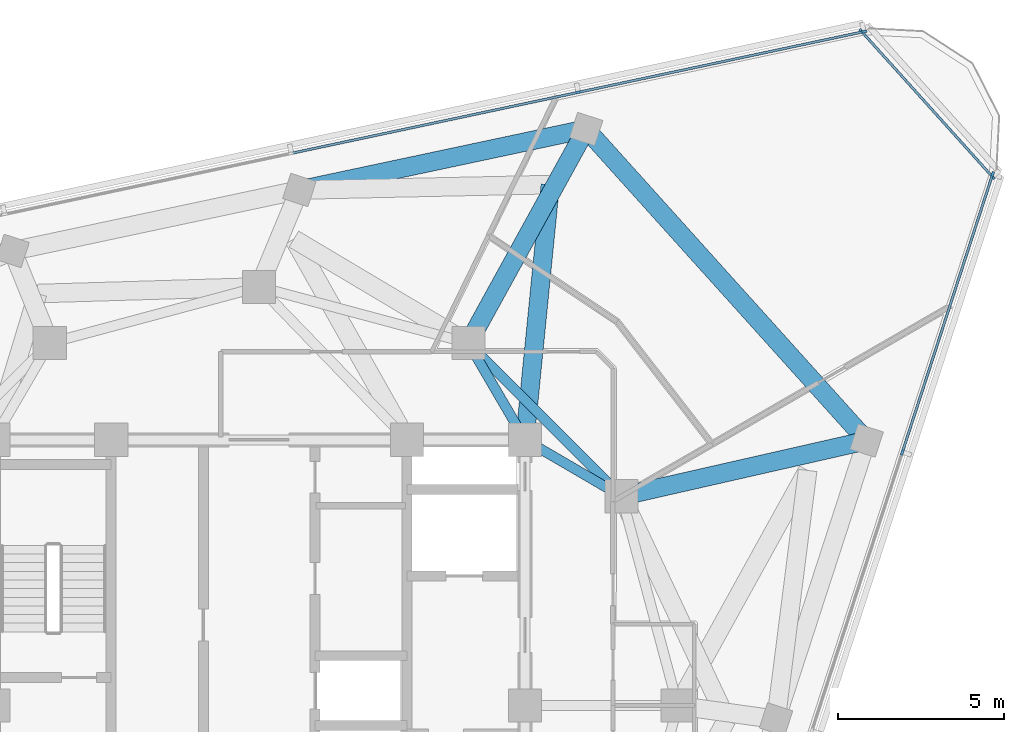
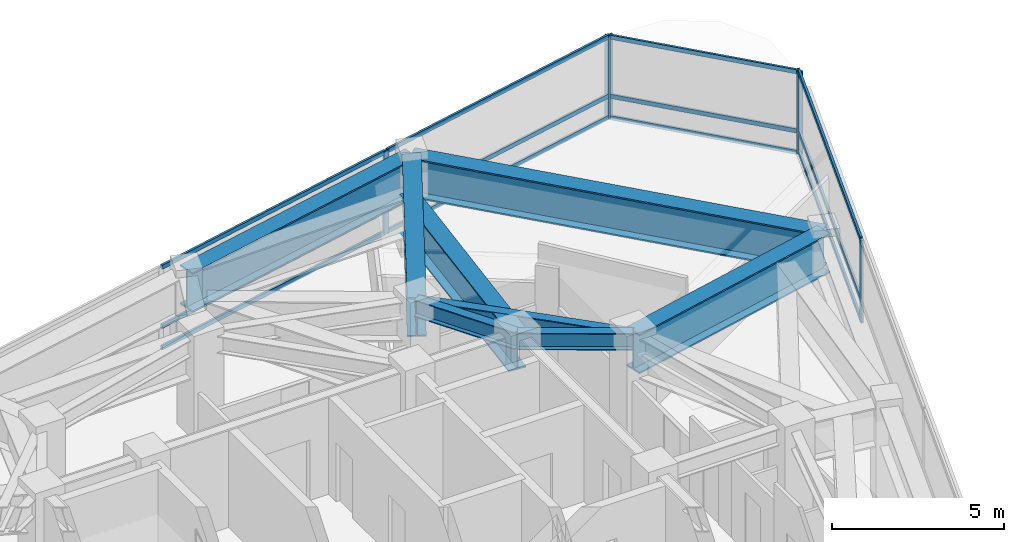
# One storey, part 6 of 15: 18 members, 8 beams, 3 elements without a shape of their own.
"""IFC4 building model written with IfcOpenShell, lengths in metres."""

from ifc_helpers import new_model, si_unit, direction, frame, origin, origin_2d, place, context, subcontext, project, spatial, rectangle, i_section, extrude, material, layer, layer_set, material_profile, profile_set, type_object, element, aggregate, save


model = new_model("IFC4")

# Units and contexts
model_context = context("Model", 3, precision=1e-05, world=origin(), true_north=direction((0.0, 1.0)))
body_context = subcontext(model_context, "Body", "Model", "MODEL_VIEW")
ifc_project = project(units=[si_unit("LENGTHUNIT", "METRE"), si_unit("AREAUNIT", "SQUARE_METRE"), si_unit("VOLUMEUNIT", "CUBIC_METRE"), si_unit("PLANEANGLEUNIT", "RADIAN"), si_unit("MASSUNIT", "GRAM", prefix="KILO")], contexts=[model_context])

# Site, building, storey
site_placement = place(None, origin())
site = spatial("IfcSite", under=ifc_project, at=site_placement, CompositionType="ELEMENT")
building_placement = place(site_placement, origin())
building = spatial("IfcBuilding", under=site, at=building_placement, Name="Terralouvre Media Tower", CompositionType="ELEMENT")
storey_placement = place(building_placement, frame((0.0, 0.0, 309.10009765625)))
storey = spatial("IfcBuildingStorey", under=building, at=storey_placement, Name="L80", CompositionType="ELEMENT", Elevation=309.10009765625)

# Curtain wall, members
ifc_material_1 = material(Name="Low-iron laminated double glazing with solar-control coating", Category="glass")
ifc_layer_1 = layer(ifc_material_1, 0.1650390625, Name="Faceted Glass-Point Crown Curtain Wall CW-06")
ifc_layer_set_1 = layer_set([ifc_layer_1], Name="Low-iron laminated double glazing with solar-control coating")
curtain_wall_type_1 = type_object("IfcCurtainWallType", Name="Faceted Glass-Point Crown Curtain Wall CW-06", PredefinedType="NOTDEFINED", material=ifc_layer_set_1)
curtain_wall_1_placement = place(storey_placement, origin())
curtain_wall_1 = element("IfcCurtainWall", 1, at=curtain_wall_1_placement, inside=storey, type_object=curtain_wall_type_1, Name="L80 Facade Curtain Wall F0", PredefinedType="NOTDEFINED")
ifc_material_2 = material(Name="Anodised extruded aluminium 6063-T6", Category="aluminium")
ifc_material_profile_1 = material_profile(ifc_material_2, rectangle(XDim=0.074951171875, YDim=0.14990234375, at=origin_2d()), Name="ALU 75x150")
ifc_profile_set_1 = profile_set([ifc_material_profile_1], Name="Anodised extruded aluminium 6063-T6")
member_type_1 = type_object("IfcMemberType", Name="Curtain-Wall Horizontal Transom TR-150", PredefinedType="USERDEFINED", material=ifc_profile_set_1)
member_1_placement = place(storey_placement, frame((19.372314453125, 7.662109375, 0.037353515625), z_axis=(0.309004958377, 0.951060426944, 0.0), x_axis=(-0.951060426944, 0.309004958377, 0.0)))
member_1 = element("IfcMember", 2, at=member_1_placement, type_object=member_type_1, Name="CW-06 transom 5.1", ObjectType="TRANSOM", PredefinedType="USERDEFINED", context=body_context, shape_type="SweptSolid", body=[
    extrude(rectangle(XDim=0.074951171875, YDim=0.14990234375, at=origin_2d()), origin(), (0.0, 0.0, 1.0), 8.71142578125),
])
member_2_placement = place(storey_placement, frame((19.372314453125, 7.662109375, 0.7998046875), z_axis=(0.309004958377, 0.951060426944, 0.0), x_axis=(-0.951060426944, 0.309004958377, 0.0)))
member_2 = element("IfcMember", 3, at=member_2_placement, type_object=member_type_1, Name="CW-06 transom 5.2", ObjectType="TRANSOM", PredefinedType="USERDEFINED", context=body_context, shape_type="SweptSolid", body=[
    extrude(rectangle(XDim=0.074951171875, YDim=0.14990234375, at=origin_2d()), origin(), (0.0, 0.0, 1.0), 8.71142578125),
])
member_3_placement = place(storey_placement, frame((19.372314453125, 7.662109375, 2.90234375), z_axis=(0.309004958377, 0.951060426944, 0.0), x_axis=(-0.951060426944, 0.309004958377, 0.0)))
member_3 = element("IfcMember", 4, at=member_3_placement, type_object=member_type_1, Name="CW-06 transom 5.3", ObjectType="TRANSOM", PredefinedType="USERDEFINED", context=body_context, shape_type="SweptSolid", body=[
    extrude(rectangle(XDim=0.074951171875, YDim=0.14990234375, at=origin_2d()), origin(), (0.0, 0.0, 1.0), 8.71142578125),
])

curtain_wall_2_placement = place(storey_placement, origin())
curtain_wall_2 = element("IfcCurtainWall", 5, at=curtain_wall_2_placement, inside=storey, type_object=curtain_wall_type_1, Name="L80 Facade Curtain Wall F1", PredefinedType="NOTDEFINED")
member_4_placement = place(storey_placement, frame((18.166259765625, 20.2763671875, 0.037353515625), z_axis=(-0.978146812348, -0.207915399846, 0.0), x_axis=(0.207915399846, -0.978146812348, 0.0)))
member_4 = element("IfcMember", 6, at=member_4_placement, type_object=member_type_1, Name="CW-06 transom 1.1", ObjectType="TRANSOM", PredefinedType="USERDEFINED", context=body_context, shape_type="SweptSolid", body=[
    extrude(rectangle(XDim=0.074951171875, YDim=0.14990234375, at=origin_2d()), origin(), (0.0, 0.0, 1.0), 8.711669921875),
])
member_5_placement = place(storey_placement, frame((18.166259765625, 20.2763671875, 0.7998046875), z_axis=(-0.978146812348, -0.207915399846, 0.0), x_axis=(0.207915399846, -0.978146812348, 0.0)))
member_5 = element("IfcMember", 7, at=member_5_placement, type_object=member_type_1, Name="CW-06 transom 1.2", ObjectType="TRANSOM", PredefinedType="USERDEFINED", context=body_context, shape_type="SweptSolid", body=[
    extrude(rectangle(XDim=0.074951171875, YDim=0.14990234375, at=origin_2d()), origin(), (0.0, 0.0, 1.0), 8.711669921875),
])
member_6_placement = place(storey_placement, frame((18.166259765625, 20.2763671875, 2.90234375), z_axis=(-0.978146812348, -0.207915399846, 0.0), x_axis=(0.207915399846, -0.978146812348, 0.0)))
member_6 = element("IfcMember", 8, at=member_6_placement, type_object=member_type_1, Name="CW-06 transom 1.3", ObjectType="TRANSOM", PredefinedType="USERDEFINED", context=body_context, shape_type="SweptSolid", body=[
    extrude(rectangle(XDim=0.074951171875, YDim=0.14990234375, at=origin_2d()), origin(), (0.0, 0.0, 1.0), 8.711669921875),
])
member_7_placement = place(storey_placement, frame((9.57177734375, 18.44970703125, 0.037353515625), z_axis=(-0.978146154485, -0.207918494767, 0.0), x_axis=(0.207918494767, -0.978146154485, 0.0)))
member_7 = element("IfcMember", 9, at=member_7_placement, type_object=member_type_1, Name="CW-06 transom 2.1", ObjectType="TRANSOM", PredefinedType="USERDEFINED", context=body_context, shape_type="SweptSolid", body=[
    extrude(rectangle(XDim=0.074951171875, YDim=0.14990234375, at=origin_2d()), origin(), (0.0, 0.0, 1.0), 8.7490234375),
])
member_8_placement = place(storey_placement, frame((9.57177734375, 18.44970703125, 0.7998046875), z_axis=(-0.978146154485, -0.207918494767, 0.0), x_axis=(0.207918494767, -0.978146154485, 0.0)))
member_8 = element("IfcMember", 10, at=member_8_placement, type_object=member_type_1, Name="CW-06 transom 2.2", ObjectType="TRANSOM", PredefinedType="USERDEFINED", context=body_context, shape_type="SweptSolid", body=[
    extrude(rectangle(XDim=0.074951171875, YDim=0.14990234375, at=origin_2d()), origin(), (0.0, 0.0, 1.0), 8.7490234375),
])
member_9_placement = place(storey_placement, frame((9.57177734375, 18.44970703125, 2.90234375), z_axis=(-0.978146154485, -0.207918494767, 0.0), x_axis=(0.207918494767, -0.978146154485, 0.0)))
member_9 = element("IfcMember", 11, at=member_9_placement, type_object=member_type_1, Name="CW-06 transom 2.3", ObjectType="TRANSOM", PredefinedType="USERDEFINED", context=body_context, shape_type="SweptSolid", body=[
    extrude(rectangle(XDim=0.074951171875, YDim=0.14990234375, at=origin_2d()), origin(), (0.0, 0.0, 1.0), 8.7490234375),
])

ifc_material_3 = material(Name="Low-iron laminated double glazing with solar-control coating", Category="glass")
ifc_layer_2 = layer(ifc_material_3, 0.1650390625, Name="Rounded Wind-Corner Curved Glazing CW-04")
ifc_layer_set_2 = layer_set([ifc_layer_2], Name="Low-iron laminated double glazing with solar-control coating")
curtain_wall_type_2 = type_object("IfcCurtainWallType", Name="Rounded Wind-Corner Curved Glazing CW-04", PredefinedType="NOTDEFINED", material=ifc_layer_set_2)
curtain_wall_3_placement = place(storey_placement, origin())
curtain_wall_3 = element("IfcCurtainWall", 12, at=curtain_wall_3_placement, inside=storey, type_object=curtain_wall_type_2, Name="L80 Rounded Wind-Corner Curtain Wall C1", PredefinedType="NOTDEFINED")
member_10_placement = place(storey_placement, frame((22.04736328125, 15.943603515625, 0.037353515625), z_axis=(-0.669127275147, 0.743147824901, 0.0), x_axis=(-0.743147824901, -0.669127275147, 0.0)))
member_10 = element("IfcMember", 13, at=member_10_placement, type_object=member_type_1, Name="CW-04 transom 1.1", ObjectType="TRANSOM", PredefinedType="USERDEFINED", context=body_context, shape_type="SweptSolid", body=[
    extrude(rectangle(XDim=0.074951171875, YDim=0.14990234375, at=origin_2d()), origin(), (0.0, 0.0, 1.0), 5.808349609375),
])
member_11_placement = place(storey_placement, frame((22.04736328125, 15.943603515625, 0.7998046875), z_axis=(-0.669127275147, 0.743147824901, 0.0), x_axis=(-0.743147824901, -0.669127275147, 0.0)))
member_11 = element("IfcMember", 14, at=member_11_placement, type_object=member_type_1, Name="CW-04 transom 1.2", ObjectType="TRANSOM", PredefinedType="USERDEFINED", context=body_context, shape_type="SweptSolid", body=[
    extrude(rectangle(XDim=0.074951171875, YDim=0.14990234375, at=origin_2d()), origin(), (0.0, 0.0, 1.0), 5.808349609375),
])
member_12_placement = place(storey_placement, frame((22.04736328125, 15.943603515625, 2.90234375), z_axis=(-0.669127275147, 0.743147824901, 0.0), x_axis=(-0.743147824901, -0.669127275147, 0.0)))
member_12 = element("IfcMember", 15, at=member_12_placement, type_object=member_type_1, Name="CW-04 transom 1.3", ObjectType="TRANSOM", PredefinedType="USERDEFINED", context=body_context, shape_type="SweptSolid", body=[
    extrude(rectangle(XDim=0.074951171875, YDim=0.14990234375, at=origin_2d()), origin(), (0.0, 0.0, 1.0), 5.808349609375),
])

# Member
ifc_material_4 = material(Name="Anodised extruded aluminium 6063-T6", Category="aluminium")
ifc_material_profile_2 = material_profile(ifc_material_4, rectangle(XDim=0.074951171875, YDim=0.179931640625, at=origin_2d()), Name="ALU 75x180")
ifc_profile_set_2 = profile_set([ifc_material_profile_2], Name="Anodised extruded aluminium 6063-T6")
member_type_2 = type_object("IfcMemberType", Name="Curtain-Wall Vertical Mullion ML-180", PredefinedType="MULLION", material=ifc_profile_set_2)
member_13_placement = place(storey_placement, frame((19.360595703125, 7.62646484375, 0.0), z_axis=(0.0, 0.0, 1.0), x_axis=(-0.951056507337, 0.309017021946, 0.0)))
member_13 = element("IfcMember", 16, at=member_13_placement, type_object=member_type_2, Name="CW-06 mullion 5", PredefinedType="MULLION", context=body_context, shape_type="SweptSolid", body=[
    extrude(rectangle(XDim=0.074951171875, YDim=0.179931640625, at=origin_2d()), origin(), (0.0, 0.0, 1.0), 2.93994140625),
])

member_14_placement = place(storey_placement, frame((22.075927734375, 15.98291015625, 0.0), z_axis=(0.0, 0.0, 1.0), x_axis=(-0.951056507337, 0.309017021946, 0.0)))
member_14 = element("IfcMember", 17, at=member_14_placement, type_object=member_type_2, Name="CW-06 mullion 6", PredefinedType="MULLION", context=body_context, shape_type="SweptSolid", body=[
    extrude(rectangle(XDim=0.074951171875, YDim=0.179931640625, at=origin_2d()), origin(), (0.0, 0.0, 1.0), 2.93994140625),
])

aggregate(curtain_wall_1, [member_13, member_14, member_1, member_2, member_3])

member_15_placement = place(storey_placement, frame((18.202880859375, 20.2841796875, 0.0), z_axis=(0.0, 0.0, 1.0), x_axis=(0.207911618313, -0.978147616145, 0.0)))
member_15 = element("IfcMember", 18, at=member_15_placement, type_object=member_type_2, Name="CW-06 mullion 1", PredefinedType="MULLION", context=body_context, shape_type="SweptSolid", body=[
    extrude(rectangle(XDim=0.074951171875, YDim=0.179931640625, at=origin_2d()), origin(), (0.0, 0.0, 1.0), 2.93994140625),
])

member_16_placement = place(storey_placement, frame((9.6083984375, 18.45751953125, 0.0), z_axis=(0.0, 0.0, 1.0), x_axis=(0.207911618313, -0.978147616145, 0.0)))
member_16 = element("IfcMember", 19, at=member_16_placement, type_object=member_type_2, Name="CW-06 mullion 2", PredefinedType="MULLION", context=body_context, shape_type="SweptSolid", body=[
    extrude(rectangle(XDim=0.074951171875, YDim=0.179931640625, at=origin_2d()), origin(), (0.0, 0.0, 1.0), 2.93994140625),
])

aggregate(curtain_wall_2, [member_15, member_16, member_4, member_5, member_6, member_7, member_8, member_9])

member_17_placement = place(storey_placement, frame((22.072509765625, 15.915771484375, 0.0), z_axis=(0.0, 0.0, 1.0), x_axis=(-0.743145163279, -0.669130231192, 0.0)))
member_17 = element("IfcMember", 20, at=member_17_placement, type_object=member_type_2, Name="CW-04 mullion 1", PredefinedType="MULLION", context=body_context, shape_type="SweptSolid", body=[
    extrude(rectangle(XDim=0.074951171875, YDim=0.179931640625, at=origin_2d()), origin(), (0.0, 0.0, 1.0), 2.93994140625),
])

member_18_placement = place(storey_placement, frame((18.1357421875, 20.287841796875, 0.0), z_axis=(0.0, 0.0, 1.0), x_axis=(-0.743145163279, -0.669130231192, 0.0)))
member_18 = element("IfcMember", 21, at=member_18_placement, type_object=member_type_2, Name="CW-04 mullion 2", PredefinedType="MULLION", context=body_context, shape_type="SweptSolid", body=[
    extrude(rectangle(XDim=0.074951171875, YDim=0.179931640625, at=origin_2d()), origin(), (0.0, 0.0, 1.0), 2.93994140625),
])

aggregate(curtain_wall_3, [member_17, member_18, member_10, member_11, member_12])

# Beams
ifc_material_5 = material(Name="Structural steel S460M", Category="steel")
ifc_material_profile_3 = material_profile(ifc_material_5, i_section(OverallWidth=0.300048828125, OverallDepth=0.60009765625, WebThickness=0.015380859375, FlangeThickness=0.030029296875, at=origin_2d()), Name="HEB 600")
ifc_profile_set_3 = profile_set([ifc_material_profile_3], Name="Structural steel S460M")
beam_type_1 = type_object("IfcBeamType", Name="Primary Floor Girder B-HEB600 (HEB 600)", PredefinedType="BEAM", material=ifc_profile_set_3)
beam_1_placement = place(storey_placement, frame((10.911865234375, 6.300048828125, 3.139892578125), z_axis=(-0.707106781187, 0.707106781187, 0.0), x_axis=(-0.707106781187, -0.707106781187, 0.0)))
element("IfcBeam", 22, at=beam_1_placement, inside=storey, type_object=beam_type_1, Name="L80 Framing Beam BM-L80-MR07", PredefinedType="BEAM", context=body_context, shape_type="SweptSolid", body=[
    extrude(i_section(OverallWidth=0.300048828125, OverallDepth=0.60009765625, WebThickness=0.015380859375, FlangeThickness=0.030029296875, at=origin_2d()), origin(), (0.0, 0.0, 1.0), 6.52197265625),
])
for number, where, z_axis, x_axis, name in (
    (23, (8.0, 8.0, 3.139892578125), (0.863602894532, -0.504172629717, 0.0), (0.504172629717, 0.863602894532, 0.0), "L80 Framing Beam BM-L80-CM07"),
    (24, (8.0, 8.0, 3.139892578125), (-0.504172629717, 0.863602894532, 0.0), (-0.863602894532, -0.504172629717, 0.0), "L80 Framing Beam BM-L80-CM08"),
):
    element("IfcBeam", number, at=place(storey_placement, frame(where, z_axis=z_axis, x_axis=x_axis)), inside=storey, type_object=beam_type_1, Name=name, PredefinedType="BEAM", context=body_context, shape_type="SweptSolid", body=[
        extrude(i_section(OverallWidth=0.300048828125, OverallDepth=0.60009765625, WebThickness=0.015380859375, FlangeThickness=0.030029296875, at=origin_2d()), origin(), (0.0, 0.0, 1.0), 3.371826171875),
    ])
ifc_material_6 = material(Name="Structural steel S460M", Category="steel")
ifc_material_profile_4 = material_profile(ifc_material_6, i_section(OverallWidth=0.56005859375, OverallDepth=1.39990234375, WebThickness=0.031982421875, FlangeThickness=0.050048828125, at=origin_2d()), Name="TG 1400x560")
ifc_profile_set_4 = profile_set([ifc_material_profile_4], Name="Structural steel S460M")
beam_type_2 = type_object("IfcBeamType", Name="Welded Transfer Girder TG-1400 (TG 1400x560)", PredefinedType="USERDEFINED", material=ifc_profile_set_4)
beam_2_placement = place(storey_placement, frame((18.285888671875, 7.975830078125, 2.739990234375), z_axis=(-0.669130421256, 0.743144992144, 0.0), x_axis=(-0.743144992144, -0.669130421256, 0.0)))
element("IfcBeam", 25, at=beam_2_placement, inside=storey, type_object=beam_type_2, Name="L80 Framing Beam BM-L80-PR08", ObjectType="TRANSFER GIRDER", PredefinedType="USERDEFINED", context=body_context, shape_type="SweptSolid", body=[
    extrude(i_section(OverallWidth=0.56005859375, OverallDepth=1.39990234375, WebThickness=0.031982421875, FlangeThickness=0.050048828125, at=origin_2d()), origin(), (0.0, 0.0, 1.0), 12.616943359375),
])
beam_3_placement = place(storey_placement, frame((9.843505859375, 17.35205078125, 2.739990234375), z_axis=(-0.978151678083, -0.207892507471, 0.0), x_axis=(0.207892507471, -0.978151678083, 0.0)))
element("IfcBeam", 26, at=beam_3_placement, inside=storey, type_object=beam_type_2, Name="L80 Framing Beam BM-L80-PR09", ObjectType="TRANSFER GIRDER", PredefinedType="USERDEFINED", context=body_context, shape_type="SweptSolid", body=[
    extrude(i_section(OverallWidth=0.56005859375, OverallDepth=1.39990234375, WebThickness=0.031982421875, FlangeThickness=0.050048828125, at=origin_2d()), origin(), (0.0, 0.0, 1.0), 8.82421875),
])
beam_4_placement = place(storey_placement, frame((10.911865234375, 6.300048828125, 2.739990234375), z_axis=(0.975136661347, 0.221604358479, 0.0), x_axis=(-0.221604358479, 0.975136661347, 0.0)))
element("IfcBeam", 27, at=beam_4_placement, inside=storey, type_object=beam_type_2, Name="L80 Framing Beam BM-L80-RD08", ObjectType="TRANSFER GIRDER", PredefinedType="USERDEFINED", context=body_context, shape_type="SweptSolid", body=[
    extrude(i_section(OverallWidth=0.56005859375, OverallDepth=1.39990234375, WebThickness=0.031982421875, FlangeThickness=0.050048828125, at=origin_2d()), origin(), (0.0, 0.0, 1.0), 7.56201171875),
])
beam_5_placement = place(storey_placement, frame((6.300048828125, 10.911865234375, 2.739990234375), z_axis=(0.482060267282, 0.876138059159, 0.0), x_axis=(-0.876138059159, 0.482060267282, 0.0)))
element("IfcBeam", 28, at=beam_5_placement, inside=storey, type_object=beam_type_2, Name="L80 Framing Beam BM-L80-RD09", ObjectType="TRANSFER GIRDER", PredefinedType="USERDEFINED", context=body_context, shape_type="SweptSolid", body=[
    extrude(i_section(OverallWidth=0.56005859375, OverallDepth=1.39990234375, WebThickness=0.031982421875, FlangeThickness=0.050048828125, at=origin_2d()), origin(), (0.0, 0.0, 1.0), 7.3505859375),
])
beam_6_placement = place(storey_placement, frame((8.763427734375, 15.679931640625, 2.739990234375), z_axis=(-0.09891801189, -0.995095586828, 0.0), x_axis=(0.995095586828, -0.09891801189, 0.0)))
element("IfcBeam", 29, at=beam_6_placement, inside=storey, type_object=beam_type_2, Name="L80 Framing Beam BM-L80-TR05S2", ObjectType="TRANSFER GIRDER", PredefinedType="USERDEFINED", context=body_context, shape_type="SweptSolid", body=[
    extrude(i_section(OverallWidth=0.56005859375, OverallDepth=1.39990234375, WebThickness=0.031982421875, FlangeThickness=0.050048828125, at=origin_2d()), origin(), (0.0, 0.0, 1.0), 7.7177734375),
])

save(model, "model.ifc")
